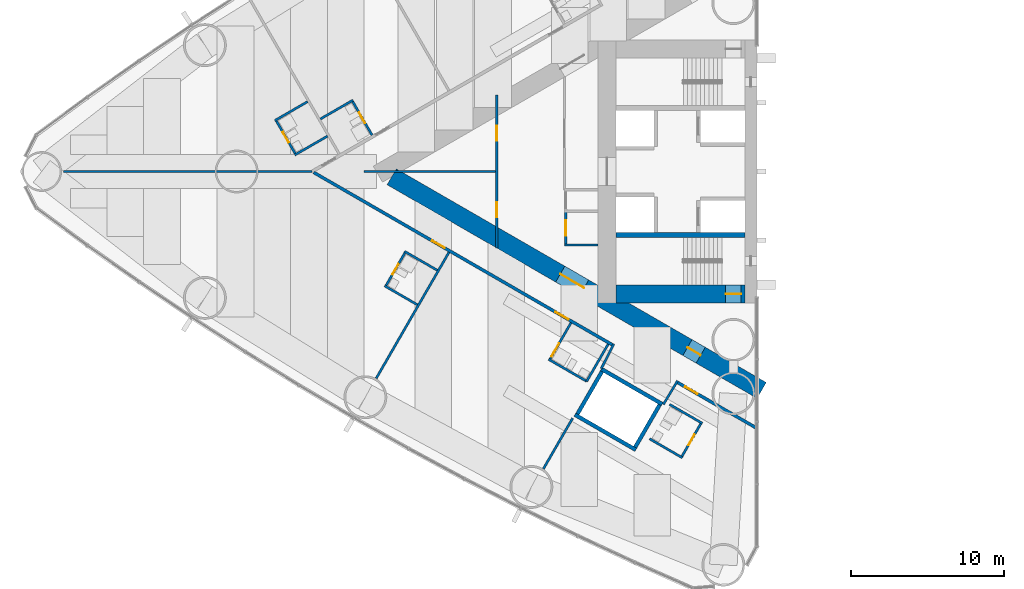
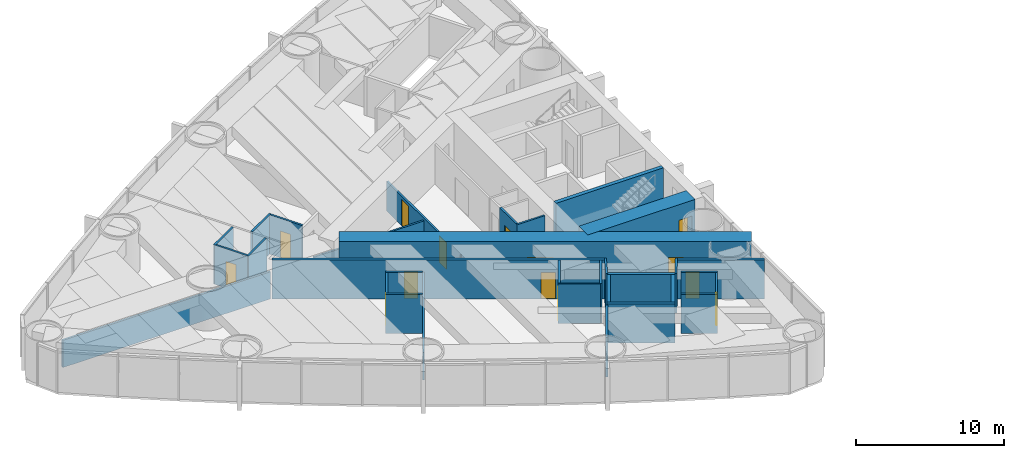
# One storey, part 11 of 19: 32 walls, 14 doors, 14 openings.
"""IFC4 building model written with IfcOpenShell, lengths in metres."""

from ifc_helpers import new_model, si_unit, direction, frame, frame_2d, origin, place, context, subcontext, project, spatial, rectangle, extrude, material, layer, layer_set, type_object, element, fill, save


model = new_model("IFC4")

# Units and contexts
model_context = context("Model", 3, precision=1e-05, world=origin(), true_north=direction((0.0, 1.0)))
body_context = subcontext(model_context, "Body", "Model", "MODEL_VIEW")
ifc_project = project(units=[si_unit("LENGTHUNIT", "METRE"), si_unit("AREAUNIT", "SQUARE_METRE"), si_unit("VOLUMEUNIT", "CUBIC_METRE"), si_unit("PLANEANGLEUNIT", "RADIAN"), si_unit("MASSUNIT", "GRAM", prefix="KILO")], contexts=[model_context])

# Site, building, storey
site_placement = place(None, origin())
site = spatial("IfcSite", under=ifc_project, at=site_placement, CompositionType="ELEMENT")
building_placement = place(site_placement, origin())
building = spatial("IfcBuilding", under=site, at=building_placement, Name="Lancet Gate Hotel", CompositionType="ELEMENT")
storey_placement = place(building_placement, frame((0.0, 0.0, 35.5)))
storey = spatial("IfcBuildingStorey", under=building, at=storey_placement, Name="L08", CompositionType="ELEMENT", Elevation=35.5)

# Wall
ifc_material_1 = material(Name="Moisture resistant board partition")
ifc_layer_1 = layer(ifc_material_1, 0.14990234375)
ifc_layer_set_1 = layer_set([ifc_layer_1], Name="Bathroom wall 150")
wall_type_1 = type_object("IfcWallType", Name="Bathroom wall 150", PredefinedType="PARTITIONING", material=ifc_layer_set_1)
wall_1_placement = place(storey_placement, frame((-53.8876953125, 4.665283203125, 0.0), z_axis=(0.0, 0.0, 1.0), x_axis=(-0.866006523861, -0.500032699561, 0.0)))
element("IfcWall", 1, at=wall_1_placement, inside=storey, type_object=wall_type_1, Name="T1 bathroom wall 150 L08", PredefinedType="PARTITIONING", context=body_context, shape_type="SweptSolid", body=[
    extrude(rectangle(XDim=2.474853515625, YDim=0.14990234375, at=frame_2d((1.2373046875, 0.0))), origin(), (0.0, 0.0, 1.0), 3.25),
])

# Wall, opening, door
wall_2_placement = place(storey_placement, frame((-52.652587890625, 2.376220703125, 0.0), z_axis=(0.0, 0.0, 1.0), x_axis=(-0.500006934395, 0.866021400173, 0.0)))
wall_2 = element("IfcWall", 2, at=wall_2_placement, inside=storey, type_object=wall_type_1, Name="T1 bathroom wall 150 L08", PredefinedType="PARTITIONING", context=body_context, shape_type="SweptSolid", body=[
    extrude(rectangle(XDim=2.60009765625, YDim=0.14990234375, at=frame_2d((1.300048828125, 0.0))), origin(), (0.0, 0.0, 1.0), 3.25),
])
opening_1_placement = place(wall_2_placement, frame((0.89990234375, 0.0, 0.0)))
opening_1 = element("IfcOpeningElement", 3, at=opening_1_placement, cuts=wall_2, Name="Opening 0803-B", PredefinedType="OPENING", context=body_context, shape_type="SweptSolid", body=[
    extrude(rectangle(XDim=0.800048828125, YDim=2.199951171875, at=frame_2d((0.39990234375, 1.10009765625))), frame((0.0, 0.0849609375, 0.0), z_axis=(0.0, -1.0, 0.0), x_axis=(1.0, 0.0, 0.0)), (0.0, 0.0, 1.0), 0.169921875),
])
ifc_material_2 = material(Name="Timber door set", Category="wood")
door_type_1 = type_object("IfcDoorType", Name="Bathroom door 800", OperationType="SINGLE_SWING_RIGHT", PredefinedType="DOOR", material=ifc_material_2)
door_1_placement = place(opening_1_placement, origin())
door_1 = element("IfcDoor", 4, at=door_1_placement, inside=storey, type_object=door_type_1, Name="0803-B", OperationType="SINGLE_SWING_RIGHT", OverallHeight=2.199951171875, OverallWidth=0.800048828125, PredefinedType="DOOR", context=body_context, shape_type="SweptSolid", body=[
    extrude(rectangle(XDim=0.800048828125, YDim=2.199951171875, at=frame_2d((0.39990234375, 1.10009765625))), frame((0.0, 0.02490234375, 0.0), z_axis=(0.0, -1.0, 0.0), x_axis=(1.0, 0.0, 0.0)), (0.0, 0.0, 1.0), 0.050048828125),
])
fill(opening_1, door_1)

# Wall
wall_3_placement = place(storey_placement, frame((-56.861083984375, 4.565185546875, 0.0), z_axis=(0.0, 0.0, 1.0), x_axis=(-0.86604923931, -0.499958713387, 0.0)))
element("IfcWall", 5, at=wall_3_placement, inside=storey, type_object=wall_type_1, Name="T1 bathroom wall 150 L08", PredefinedType="PARTITIONING", context=body_context, shape_type="SweptSolid", body=[
    extrude(rectangle(XDim=2.474853515625, YDim=0.14990234375, at=frame_2d((1.2373046875, 0.0))), origin(), (0.0, 0.0, 1.0), 3.25),
])

# Wall, opening, door
wall_4_placement = place(storey_placement, frame((-57.639404296875, 1.113525390625, 0.0), z_axis=(0.0, 0.0, 1.0), x_axis=(-0.500006934395, 0.866021400173, 0.0)))
wall_4 = element("IfcWall", 6, at=wall_4_placement, inside=storey, type_object=wall_type_1, Name="T1 bathroom wall 150 L08", PredefinedType="PARTITIONING", context=body_context, shape_type="SweptSolid", body=[
    extrude(rectangle(XDim=2.60009765625, YDim=0.14990234375, at=frame_2d((1.300048828125, 0.0))), origin(), (0.0, 0.0, 1.0), 3.25),
])
opening_2_placement = place(wall_4_placement, frame((0.89990234375, 0.0, 0.0)))
opening_2 = element("IfcOpeningElement", 7, at=opening_2_placement, cuts=wall_4, Name="Opening 0804-B", PredefinedType="OPENING", context=body_context, shape_type="SweptSolid", body=[
    extrude(rectangle(XDim=0.800048828125, YDim=2.199951171875, at=frame_2d((0.39990234375, 1.10009765625))), frame((0.0, 0.0849609375, 0.0), z_axis=(0.0, -1.0, 0.0), x_axis=(1.0, 0.0, 0.0)), (0.0, 0.0, 1.0), 0.169921875),
])
door_2_placement = place(opening_2_placement, origin())
door_2 = element("IfcDoor", 8, at=door_2_placement, inside=storey, type_object=door_type_1, Name="0804-B", OperationType="SINGLE_SWING_RIGHT", OverallHeight=2.199951171875, OverallWidth=0.800048828125, PredefinedType="DOOR", context=body_context, shape_type="SweptSolid", body=[
    extrude(rectangle(XDim=0.800048828125, YDim=2.199951171875, at=frame_2d((0.39990234375, 1.10009765625))), frame((0.0, 0.02490234375, 0.0), z_axis=(0.0, -1.0, 0.0), x_axis=(1.0, 0.0, 0.0)), (0.0, 0.0, 1.0), 0.050048828125),
])
fill(opening_2, door_2)

# Walls
wall_5_placement = place(storey_placement, frame((-55.56103515625, 2.3134765625, 0.0), z_axis=(0.0, 0.0, 1.0), x_axis=(-0.86604923931, -0.499958713387, 0.0)))
element("IfcWall", 9, at=wall_5_placement, inside=storey, type_object=wall_type_1, Name="T1 bathroom wall 150 L08", PredefinedType="PARTITIONING", context=body_context, shape_type="SweptSolid", body=[
    extrude(rectangle(XDim=2.474853515625, YDim=0.14990234375, at=frame_2d((1.2373046875, 0.0))), origin(), (0.0, 0.0, 1.0), 3.25),
])
wall_6_placement = place(storey_placement, frame((-49.691650390625, -8.704345703125, 0.0), z_axis=(0.0, 0.0, 1.0), x_axis=(-0.866073894602, 0.499916002032, 0.0)))
element("IfcWall", 10, at=wall_6_placement, inside=storey, type_object=wall_type_1, Name="T1 bathroom wall 150 L08", PredefinedType="PARTITIONING", context=body_context, shape_type="SweptSolid", body=[
    extrude(rectangle(XDim=2.47509765625, YDim=0.14990234375, at=frame_2d((1.237548828125, 0.0))), origin(), (0.0, 0.0, 1.0), 3.25),
])

# Wall, opening, door
wall_7_placement = place(storey_placement, frame((-50.47021484375, -5.252685546875, 0.0), z_axis=(0.0, 0.0, 1.0), x_axis=(-0.500006934395, -0.866021400173, 0.0)))
wall_7 = element("IfcWall", 11, at=wall_7_placement, inside=storey, type_object=wall_type_1, Name="T1 bathroom wall 150 L08", PredefinedType="PARTITIONING", context=body_context, shape_type="SweptSolid", body=[
    extrude(rectangle(XDim=2.60009765625, YDim=0.14990234375, at=frame_2d((1.300048828125, 0.0))), origin(), (0.0, 0.0, 1.0), 3.25),
])
opening_3_placement = place(wall_7_placement, frame((0.89990234375, 0.0, 0.0)))
opening_3 = element("IfcOpeningElement", 12, at=opening_3_placement, cuts=wall_7, Name="Opening 0805-B", PredefinedType="OPENING", context=body_context, shape_type="SweptSolid", body=[
    extrude(rectangle(XDim=0.800048828125, YDim=2.199951171875, at=frame_2d((0.39990234375, 1.10009765625))), frame((0.0, 0.0849609375, 0.0), z_axis=(0.0, -1.0, 0.0), x_axis=(1.0, 0.0, 0.0)), (0.0, 0.0, 1.0), 0.169921875),
])
door_3_placement = place(opening_3_placement, origin())
door_3 = element("IfcDoor", 13, at=door_3_placement, inside=storey, type_object=door_type_1, Name="0805-B", OperationType="SINGLE_SWING_RIGHT", OverallHeight=2.199951171875, OverallWidth=0.800048828125, PredefinedType="DOOR", context=body_context, shape_type="SweptSolid", body=[
    extrude(rectangle(XDim=0.800048828125, YDim=2.199951171875, at=frame_2d((0.39990234375, 1.10009765625))), frame((0.0, 0.02490234375, 0.0), z_axis=(0.0, -1.0, 0.0), x_axis=(1.0, 0.0, 0.0)), (0.0, 0.0, 1.0), 0.050048828125),
])
fill(opening_3, door_3)

# Walls
wall_8_placement = place(storey_placement, frame((-48.391845703125, -6.45263671875, 0.0), z_axis=(0.0, 0.0, 1.0), x_axis=(-0.86604923931, 0.499958713387, 0.0)))
element("IfcWall", 14, at=wall_8_placement, inside=storey, type_object=wall_type_1, Name="T1 bathroom wall 150 L08", PredefinedType="PARTITIONING", context=body_context, shape_type="SweptSolid", body=[
    extrude(rectangle(XDim=2.474853515625, YDim=0.14990234375, at=frame_2d((1.2373046875, 0.0))), origin(), (0.0, 0.0, 1.0), 3.25),
])
wall_9_placement = place(storey_placement, frame((-38.630126953125, -13.705322265625, 0.0), z_axis=(0.0, 0.0, 1.0), x_axis=(-0.866018712932, 0.500011588718, 0.0)))
element("IfcWall", 15, at=wall_9_placement, inside=storey, type_object=wall_type_1, Name="T1 bathroom wall 150 L08", PredefinedType="PARTITIONING", context=body_context, shape_type="SweptSolid", body=[
    extrude(rectangle(XDim=2.875, YDim=0.14990234375, at=frame_2d((1.4375, 0.0))), origin(), (0.0, 0.0, 1.0), 3.25),
])

# Wall, opening, door
wall_10_placement = place(storey_placement, frame((-39.65478515625, -9.88037109375, 0.0), z_axis=(0.0, 0.0, 1.0), x_axis=(-0.500049511043, -0.865996816683, 0.0)))
wall_10 = element("IfcWall", 16, at=wall_10_placement, inside=storey, type_object=wall_type_1, Name="T1 bathroom wall 150 L08", PredefinedType="PARTITIONING", context=body_context, shape_type="SweptSolid", body=[
    extrude(rectangle(XDim=2.800048828125, YDim=0.14990234375, at=frame_2d((1.39990234375, 0.0))), origin(), (0.0, 0.0, 1.0), 3.25),
])
opening_4_placement = place(wall_10_placement, frame((1.550048828125, 0.0, 0.0)))
opening_4 = element("IfcOpeningElement", 17, at=opening_4_placement, cuts=wall_10, Name="Opening 0807-B", PredefinedType="OPENING", context=body_context, shape_type="SweptSolid", body=[
    extrude(rectangle(XDim=1.0, YDim=2.199951171875, at=frame_2d((0.5, 1.10009765625))), frame((0.0, 0.0849609375, 0.0), z_axis=(0.0, -1.0, 0.0), x_axis=(1.0, 0.0, 0.0)), (0.0, 0.0, 1.0), 0.169921875),
])
ifc_material_3 = material(Name="Timber door set", Category="wood")
door_type_2 = type_object("IfcDoorType", Name="Accessible en-suite door 1000", OperationType="SINGLE_SWING_RIGHT", PredefinedType="DOOR", material=ifc_material_3)
door_4_placement = place(opening_4_placement, origin())
door_4 = element("IfcDoor", 18, at=door_4_placement, inside=storey, type_object=door_type_2, Name="0807-B", OperationType="SINGLE_SWING_RIGHT", OverallHeight=2.199951171875, OverallWidth=1.0, PredefinedType="DOOR", context=body_context, shape_type="SweptSolid", body=[
    extrude(rectangle(XDim=1.0, YDim=2.199951171875, at=frame_2d((0.5, 1.10009765625))), frame((0.0, 0.02490234375, 0.0), z_axis=(0.0, -1.0, 0.0), x_axis=(1.0, 0.0, 0.0)), (0.0, 0.0, 1.0), 0.050048828125),
])
fill(opening_4, door_4)

# Walls
wall_11_placement = place(storey_placement, frame((-37.22998046875, -11.280517578125, 0.0), z_axis=(0.0, 0.0, 1.0), x_axis=(-0.500049511043, -0.865996816683, 0.0)))
element("IfcWall", 19, at=wall_11_placement, inside=storey, type_object=wall_type_1, Name="T1 bathroom wall 150 L08", PredefinedType="PARTITIONING", context=body_context, shape_type="SweptSolid", body=[
    extrude(rectangle(XDim=2.800048828125, YDim=0.14990234375, at=frame_2d((1.39990234375, 0.0))), origin(), (0.0, 0.0, 1.0), 3.25),
])
wall_12_placement = place(storey_placement, frame((-32.3759765625, -18.70166015625, 0.0), z_axis=(0.0, 0.0, 1.0), x_axis=(-0.866006523861, 0.500032699561, 0.0)))
element("IfcWall", 20, at=wall_12_placement, inside=storey, type_object=wall_type_1, Name="T1 bathroom wall 150 L08", PredefinedType="PARTITIONING", context=body_context, shape_type="SweptSolid", body=[
    extrude(rectangle(XDim=2.474853515625, YDim=0.14990234375, at=frame_2d((1.2373046875, 0.0))), origin(), (0.0, 0.0, 1.0), 3.25),
])

# Wall, opening, door
wall_13_placement = place(storey_placement, frame((-31.140869140625, -16.41259765625, 0.0), z_axis=(0.0, 0.0, 1.0), x_axis=(-0.500006934395, -0.866021400173, 0.0)))
wall_13 = element("IfcWall", 21, at=wall_13_placement, inside=storey, type_object=wall_type_1, Name="T1 bathroom wall 150 L08", PredefinedType="PARTITIONING", context=body_context, shape_type="SweptSolid", body=[
    extrude(rectangle(XDim=2.60009765625, YDim=0.14990234375, at=frame_2d((1.300048828125, 0.0))), origin(), (0.0, 0.0, 1.0), 3.25),
])
opening_5_placement = place(wall_13_placement, frame((0.89990234375, 0.0, 0.0)))
opening_5 = element("IfcOpeningElement", 22, at=opening_5_placement, cuts=wall_13, Name="Opening 0808-B", PredefinedType="OPENING", context=body_context, shape_type="SweptSolid", body=[
    extrude(rectangle(XDim=0.800048828125, YDim=2.199951171875, at=frame_2d((0.39990234375, 1.10009765625))), frame((0.0, 0.0849609375, 0.0), z_axis=(0.0, -1.0, 0.0), x_axis=(1.0, 0.0, 0.0)), (0.0, 0.0, 1.0), 0.169921875),
])
door_5_placement = place(opening_5_placement, origin())
door_5 = element("IfcDoor", 23, at=door_5_placement, inside=storey, type_object=door_type_1, Name="0808-B", OperationType="SINGLE_SWING_RIGHT", OverallHeight=2.199951171875, OverallWidth=0.800048828125, PredefinedType="DOOR", context=body_context, shape_type="SweptSolid", body=[
    extrude(rectangle(XDim=0.800048828125, YDim=2.199951171875, at=frame_2d((0.39990234375, 1.10009765625))), frame((0.0, 0.02490234375, 0.0), z_axis=(0.0, -1.0, 0.0), x_axis=(1.0, 0.0, 0.0)), (0.0, 0.0, 1.0), 0.050048828125),
])
fill(opening_5, door_5)

# Wall
wall_14_placement = place(storey_placement, frame((-31.075927734375, -16.449951171875, 0.0), z_axis=(0.0, 0.0, 1.0), x_axis=(-0.866073894602, 0.499916002032, 0.0)))
element("IfcWall", 24, at=wall_14_placement, inside=storey, type_object=wall_type_1, Name="T1 bathroom wall 150 L08", PredefinedType="PARTITIONING", context=body_context, shape_type="SweptSolid", body=[
    extrude(rectangle(XDim=2.47509765625, YDim=0.14990234375, at=frame_2d((1.237548828125, 0.0))), origin(), (0.0, 0.0, 1.0), 3.25),
])

# Wall, openings, doors
ifc_material_4 = material(Name="Concrete C70/85", Category="concrete")
ifc_layer_2 = layer(ifc_material_4, 1.199951171875)
ifc_layer_set_2 = layer_set([ifc_layer_2], Name="Buttress wall 1200")
wall_type_2 = type_object("IfcWallType", Name="Buttress wall 1200", PredefinedType="SHEAR", material=ifc_layer_set_2)
wall_15_placement = place(storey_placement, frame((-27.199951171875, -14.300048828125, 0.0), z_axis=(0.0, 0.0, 1.0), x_axis=(-0.866024021859, 0.500002393557, 0.0)))
wall_15 = element("IfcWall", 25, at=wall_15_placement, inside=storey, type_object=wall_type_2, Name="T1 buttress wall N L08", PredefinedType="SHEAR", context=body_context, shape_type="SweptSolid", body=[
    extrude(rectangle(XDim=27.906982421875, YDim=1.199951171875, at=frame_2d((13.95361328125, 0.0))), origin(), (0.0, 0.0, 1.0), 3.5),
])
opening_6_placement = place(wall_15_placement, frame((4.60009765625, 0.0, 0.0)))
opening_6 = element("IfcOpeningElement", 26, at=opening_6_placement, cuts=wall_15, Name="Opening T1-L08-LN", PredefinedType="OPENING", context=body_context, shape_type="SweptSolid", body=[
    extrude(rectangle(XDim=1.0, YDim=2.199951171875, at=frame_2d((0.5, 1.10009765625))), frame((0.0, 0.60986328125, 0.0), z_axis=(0.0, -1.0, 0.0), x_axis=(1.0, 0.0, 0.0)), (0.0, 0.0, 1.0), 1.219970703125),
])
opening_7_placement = place(wall_15_placement, frame((13.39453125, 0.0, 0.0)))
opening_7 = element("IfcOpeningElement", 27, at=opening_7_placement, cuts=wall_15, Name="Opening T1-L08-LHN", PredefinedType="OPENING", context=body_context, shape_type="SweptSolid", body=[
    extrude(rectangle(XDim=1.800048828125, YDim=2.199951171875, at=frame_2d((0.89990234375, 1.10009765625))), frame((0.0, 0.60986328125, 0.0), z_axis=(0.0, -1.0, 0.0), x_axis=(1.0, 0.0, 0.0)), (0.0, 0.0, 1.0), 1.219970703125),
])
ifc_material_5 = material(Name="Timber door set", Category="wood")
door_type_3 = type_object("IfcDoorType", Name="Lobby double door 1800", OperationType="DOUBLE_DOOR_SINGLE_SWING", PredefinedType="DOOR", material=ifc_material_5)
door_6_placement = place(opening_7_placement, origin())
door_6 = element("IfcDoor", 28, at=door_6_placement, inside=storey, type_object=door_type_3, Name="T1-L08-LHN", OperationType="DOUBLE_DOOR_SINGLE_SWING", OverallHeight=2.199951171875, OverallWidth=1.800048828125, PredefinedType="DOOR", context=body_context, shape_type="SweptSolid", body=[
    extrude(rectangle(XDim=1.800048828125, YDim=2.199951171875, at=frame_2d((0.89990234375, 1.10009765625))), frame((0.0, 0.02490234375, 0.0), z_axis=(0.0, -1.0, 0.0), x_axis=(1.0, 0.0, 0.0)), (0.0, 0.0, 1.0), 0.050048828125),
])
fill(opening_7, door_6)
ifc_material_6 = material(Name="Timber door set", Category="wood")
door_type_4 = type_object("IfcDoorType", Name="Stair lobby door 1000", OperationType="SINGLE_SWING_LEFT", PredefinedType="DOOR", material=ifc_material_6)
door_7_placement = place(opening_6_placement, origin())
door_7 = element("IfcDoor", 29, at=door_7_placement, inside=storey, type_object=door_type_4, Name="T1-L08-LN", OperationType="SINGLE_SWING_LEFT", OverallHeight=2.199951171875, OverallWidth=1.0, PredefinedType="DOOR", context=body_context, shape_type="SweptSolid", body=[
    extrude(rectangle(XDim=1.0, YDim=2.199951171875, at=frame_2d((0.5, 1.10009765625))), frame((0.0, 0.02490234375, 0.0), z_axis=(0.0, -1.0, 0.0), x_axis=(1.0, 0.0, 0.0)), (0.0, 0.0, 1.0), 0.050048828125),
])
fill(opening_6, door_7)

# Wall, opening, door
ifc_material_7 = material(Name="Concrete C70/85", Category="concrete")
ifc_layer_3 = layer(ifc_material_7, 1.199951171875)
ifc_layer_set_3 = layer_set([ifc_layer_3], Name="Core wall 1200")
wall_type_3 = type_object("IfcWallType", Name="Core wall 1200", PredefinedType="SHEAR", material=ifc_layer_set_3)
wall_16_placement = place(storey_placement, frame((-28.300048828125, -8.0, 0.0), z_axis=(0.0, 0.0, 1.0), x_axis=(-1.0, 0.0, 0.0)))
wall_16 = element("IfcWall", 30, at=wall_16_placement, inside=storey, type_object=wall_type_3, Name="T1 core wall side-N L08", PredefinedType="SHEAR", context=body_context, shape_type="SweptSolid", body=[
    extrude(rectangle(XDim=8.39990234375, YDim=1.199951171875, at=frame_2d((4.199951171875, 0.0))), origin(), (0.0, 0.0, 1.0), 3.5),
])
opening_8_placement = place(wall_16_placement, frame((0.25, 0.0, 0.0)))
opening_8 = element("IfcOpeningElement", 31, at=opening_8_placement, cuts=wall_16, Name="Opening T1-L08-ST2", PredefinedType="OPENING", context=body_context, shape_type="SweptSolid", body=[
    extrude(rectangle(XDim=1.0, YDim=2.199951171875, at=frame_2d((0.5, 1.10009765625))), frame((0.0, 0.60986328125, 0.0), z_axis=(0.0, -1.0, 0.0), x_axis=(1.0, 0.0, 0.0)), (0.0, 0.0, 1.0), 1.219970703125),
])
ifc_material_8 = material(Name="Timber door set", Category="wood")
door_type_5 = type_object("IfcDoorType", Name="Stair door 1000", OperationType="SINGLE_SWING_RIGHT", PredefinedType="DOOR", material=ifc_material_8)
door_8_placement = place(opening_8_placement, origin())
door_8 = element("IfcDoor", 32, at=door_8_placement, inside=storey, type_object=door_type_5, Name="T1-L08-ST2", OperationType="SINGLE_SWING_RIGHT", OverallHeight=2.199951171875, OverallWidth=1.0, PredefinedType="DOOR", context=body_context, shape_type="SweptSolid", body=[
    extrude(rectangle(XDim=1.0, YDim=2.199951171875, at=frame_2d((0.5, 1.10009765625))), frame((0.0, 0.02490234375, 0.0), z_axis=(0.0, -1.0, 0.0), x_axis=(1.0, 0.0, 0.0)), (0.0, 0.0, 1.0), 0.050048828125),
])
fill(opening_8, door_8)

ifc_material_9 = material(Name="Gypsum board partition")
ifc_layer_4 = layer(ifc_material_9, 0.199951171875)
ifc_layer_set_4 = layer_set([ifc_layer_4], Name="Corridor wall 200")
wall_type_4 = type_object("IfcWallType", Name="Corridor wall 200", PredefinedType="PARTITIONING", material=ifc_layer_set_4)
wall_17_placement = place(storey_placement, frame((-27.572021484375, -16.740966796875, 0.0), z_axis=(0.0, 0.0, 1.0), x_axis=(-0.866024464444, 0.500001626982, 0.0)))
wall_17 = element("IfcWall", 33, at=wall_17_placement, inside=storey, type_object=wall_type_4, Name="T1 corridor wall 200 L08", PredefinedType="PARTITIONING", context=body_context, shape_type="SweptSolid", body=[
    extrude(rectangle(XDim=5.955078125, YDim=0.199951171875, at=frame_2d((2.9775390625, 0.0))), origin(), (0.0, 0.0, 1.0), 3.25),
])
opening_9_placement = place(wall_17_placement, frame((4.405029296875, 0.0, 0.0)))
opening_9 = element("IfcOpeningElement", 34, at=opening_9_placement, cuts=wall_17, Name="Opening 0808-E", PredefinedType="OPENING", context=body_context, shape_type="SweptSolid", body=[
    extrude(rectangle(XDim=0.949951171875, YDim=2.199951171875, at=frame_2d((0.47509765625, 1.10009765625))), frame((0.0, 0.10986328125, 0.0), z_axis=(0.0, -1.0, 0.0), x_axis=(1.0, 0.0, 0.0)), (0.0, 0.0, 1.0), 0.219970703125),
])
ifc_material_10 = material(Name="Timber door set", Category="wood")
door_type_6 = type_object("IfcDoorType", Name="Guest room entry door 950", OperationType="SINGLE_SWING_LEFT", PredefinedType="DOOR", material=ifc_material_10)
door_9_placement = place(opening_9_placement, origin())
door_9 = element("IfcDoor", 35, at=door_9_placement, inside=storey, type_object=door_type_6, Name="0808-E", OperationType="SINGLE_SWING_LEFT", OverallHeight=2.199951171875, OverallWidth=0.949951171875, PredefinedType="DOOR", context=body_context, shape_type="SweptSolid", body=[
    extrude(rectangle(XDim=0.949951171875, YDim=2.199951171875, at=frame_2d((0.47509765625, 1.10009765625))), frame((0.0, 0.02490234375, 0.0), z_axis=(0.0, -1.0, 0.0), x_axis=(1.0, 0.0, 0.0)), (0.0, 0.0, 1.0), 0.050048828125),
])
fill(opening_9, door_9)

# Wall, openings, doors
wall_18_placement = place(storey_placement, frame((-36.920166015625, -11.34375, 0.0), z_axis=(0.0, 0.0, 1.0), x_axis=(-0.866028313256, 0.499994960614, 0.0)))
wall_18 = element("IfcWall", 36, at=wall_18_placement, inside=storey, type_object=wall_type_4, Name="T1 corridor wall 200 L08", PredefinedType="PARTITIONING", context=body_context, shape_type="SweptSolid", body=[
    extrude(rectangle(XDim=22.567626953125, YDim=0.199951171875, at=frame_2d((11.28369140625, 0.0))), origin(), (0.0, 0.0, 1.0), 3.25),
])
opening_10_placement = place(wall_18_placement, frame((12.68017578125, 0.0, 0.0)))
opening_10 = element("IfcOpeningElement", 37, at=opening_10_placement, cuts=wall_18, Name="Opening 0805-E", PredefinedType="OPENING", context=body_context, shape_type="SweptSolid", body=[
    extrude(rectangle(XDim=0.949951171875, YDim=2.199951171875, at=frame_2d((0.47509765625, 1.10009765625))), frame((0.0, 0.10986328125, 0.0), z_axis=(0.0, -1.0, 0.0), x_axis=(1.0, 0.0, 0.0)), (0.0, 0.0, 1.0), 0.219970703125),
])
opening_11_placement = place(wall_18_placement, frame((3.35009765625, 0.0, 0.0)))
opening_11 = element("IfcOpeningElement", 38, at=opening_11_placement, cuts=wall_18, Name="Opening 0807-E", PredefinedType="OPENING", context=body_context, shape_type="SweptSolid", body=[
    extrude(rectangle(XDim=1.0, YDim=2.199951171875, at=frame_2d((0.5, 1.10009765625))), frame((0.0, 0.10986328125, 0.0), z_axis=(0.0, -1.0, 0.0), x_axis=(1.0, 0.0, 0.0)), (0.0, 0.0, 1.0), 0.219970703125),
])
ifc_material_11 = material(Name="Timber door set", Category="wood")
door_type_7 = type_object("IfcDoorType", Name="Accessible guest room door 1000", OperationType="SINGLE_SWING_LEFT", PredefinedType="DOOR", material=ifc_material_11)
door_10_placement = place(opening_11_placement, origin())
door_10 = element("IfcDoor", 39, at=door_10_placement, inside=storey, type_object=door_type_7, Name="0807-E", OperationType="SINGLE_SWING_LEFT", OverallHeight=2.199951171875, OverallWidth=1.0, PredefinedType="DOOR", context=body_context, shape_type="SweptSolid", body=[
    extrude(rectangle(XDim=1.0, YDim=2.199951171875, at=frame_2d((0.5, 1.10009765625))), frame((0.0, 0.02490234375, 0.0), z_axis=(0.0, -1.0, 0.0), x_axis=(1.0, 0.0, 0.0)), (0.0, 0.0, 1.0), 0.050048828125),
])
fill(opening_11, door_10)
door_11_placement = place(opening_10_placement, origin())
door_11 = element("IfcDoor", 40, at=door_11_placement, inside=storey, type_object=door_type_6, Name="0805-E", OperationType="SINGLE_SWING_LEFT", OverallHeight=2.199951171875, OverallWidth=0.949951171875, PredefinedType="DOOR", context=body_context, shape_type="SweptSolid", body=[
    extrude(rectangle(XDim=0.949951171875, YDim=2.199951171875, at=frame_2d((0.47509765625, 1.10009765625))), frame((0.0, 0.02490234375, 0.0), z_axis=(0.0, -1.0, 0.0), x_axis=(1.0, 0.0, 0.0)), (0.0, 0.0, 1.0), 0.050048828125),
])
fill(opening_10, door_11)

# Walls
ifc_material_12 = material(Name="Gypsum board partition")
ifc_layer_5 = layer(ifc_material_12, 0.25)
ifc_layer_set_5 = layer_set([ifc_layer_5], Name="Lift shaft partition 250")
wall_type_5 = type_object("IfcWallType", Name="Lift shaft partition 250", PredefinedType="PARTITIONING", material=ifc_layer_set_5)
wall_19_placement = place(storey_placement, frame((-33.695556640625, -15.197265625, 0.0), z_axis=(0.0, 0.0, 1.0), x_axis=(-0.865976953817, 0.500083908417, 0.0)))
element("IfcWall", 41, at=wall_19_placement, inside=storey, type_object=wall_type_5, Name="T1 lift shaft wall EX L08", PredefinedType="PARTITIONING", context=body_context, shape_type="SweptSolid", body=[
    extrude(rectangle(XDim=4.599365234375, YDim=0.25, at=frame_2d((2.2998046875, 0.0))), origin(), (0.0, 0.0, 1.0), 3.25),
])
wall_20_placement = place(storey_placement, frame((-35.42041015625, -18.185791015625, 0.0), z_axis=(0.0, 0.0, 1.0), x_axis=(-0.865990227814, 0.50006092162, 0.0)))
element("IfcWall", 42, at=wall_20_placement, inside=storey, type_object=wall_type_5, Name="T1 lift shaft wall EX L08", PredefinedType="PARTITIONING", context=body_context, shape_type="SweptSolid", body=[
    extrude(rectangle(XDim=4.599609375, YDim=0.25, at=frame_2d((2.2998046875, 0.0))), origin(), (0.0, 0.0, 1.0), 3.25),
])
wall_21_placement = place(storey_placement, frame((-33.8662109375, -15.242919921875, 0.0), z_axis=(0.0, 0.0, 1.0), x_axis=(-0.499929347863, -0.866066190972, 0.0)))
element("IfcWall", 43, at=wall_21_placement, inside=storey, type_object=wall_type_5, Name="T1 lift shaft wall EX L08", PredefinedType="PARTITIONING", context=body_context, shape_type="SweptSolid", body=[
    extrude(rectangle(XDim=3.20068359375, YDim=0.25, at=frame_2d((1.600341796875, 0.0))), origin(), (0.0, 0.0, 1.0), 3.25),
])
wall_22_placement = place(storey_placement, frame((-37.6328125, -13.068115234375, 0.0), z_axis=(0.0, 0.0, 1.0), x_axis=(-0.499872130319, -0.866099216793, 0.0)))
element("IfcWall", 44, at=wall_22_placement, inside=storey, type_object=wall_type_5, Name="T1 lift shaft wall EX L08", PredefinedType="PARTITIONING", context=body_context, shape_type="SweptSolid", body=[
    extrude(rectangle(XDim=3.200439453125, YDim=0.25, at=frame_2d((1.60009765625, 0.0))), origin(), (0.0, 0.0, 1.0), 3.25),
])
ifc_material_13 = material(Name="Gypsum board partition")
ifc_layer_6 = layer(ifc_material_13, 0.14990234375)
ifc_layer_set_6 = layer_set([ifc_layer_6], Name="Party wall 150")
wall_type_6 = type_object("IfcWallType", Name="Party wall 150", PredefinedType="PARTITIONING", material=ifc_layer_set_6)
wall_23_placement = place(storey_placement, frame((-47.626708984375, -5.27783203125, 0.0), z_axis=(0.0, 0.0, 1.0), x_axis=(-0.500009844318, -0.86601972009, 0.0)))
element("IfcWall", 45, at=wall_23_placement, inside=storey, type_object=wall_type_6, Name="T1 party wall 150 L08", PredefinedType="PARTITIONING", context=body_context, shape_type="SweptSolid", body=[
    extrude(rectangle(XDim=9.510498046875, YDim=0.14990234375, at=frame_2d((4.75537109375, 0.0))), origin(), (0.0, 0.0, 1.0), 2.25),
])
wall_24_placement = place(storey_placement, frame((-56.568359375, 0.0, 0.0), z_axis=(0.0, 0.0, 1.0), x_axis=(-1.0, 0.0, 0.0)))
element("IfcWall", 46, at=wall_24_placement, inside=storey, type_object=wall_type_6, Name="T1 party wall 150 L08", PredefinedType="PARTITIONING", context=body_context, shape_type="SweptSolid", body=[
    extrude(rectangle(XDim=16.246826171875, YDim=0.14990234375, at=frame_2d((8.12353515625, 0.0))), origin(), (0.0, 0.0, 1.0), 2.25),
])
wall_25_placement = place(storey_placement, frame((-39.55078125, -16.118408203125, 0.0), z_axis=(0.0, 0.0, 1.0), x_axis=(-0.499986503906, -0.866033195618, 0.0)))
element("IfcWall", 47, at=wall_25_placement, inside=storey, type_object=wall_type_6, Name="T1 party wall 150 L08", PredefinedType="PARTITIONING", context=body_context, shape_type="SweptSolid", body=[
    extrude(rectangle(XDim=3.81494140625, YDim=0.14990234375, at=frame_2d((1.907470703125, 0.0))), origin(), (0.0, 0.0, 1.0), 3.25),
])
ifc_material_14 = material(Name="Gypsum board partition")
ifc_layer_7 = layer(ifc_material_14, 0.14990234375)
ifc_layer_set_7 = layer_set([ifc_layer_7], Name="Service room wall 150")
wall_type_7 = type_object("IfcWallType", Name="Service room wall 150", PredefinedType="PARTITIONING", material=ifc_layer_set_7)
wall_26_placement = place(storey_placement, frame((-36.857177734375, -11.2646484375, 0.0), z_axis=(0.0, 0.0, 1.0), x_axis=(-0.454225294761, -0.890886851176, 0.0)))
element("IfcWall", 48, at=wall_26_placement, inside=storey, type_object=wall_type_7, Name="T1 service room wall 150 L08", PredefinedType="PARTITIONING", context=body_context, shape_type="SweptSolid", body=[
    extrude(rectangle(XDim=1.80712890625, YDim=0.14990234375, at=frame_2d((0.903564453125, 0.0))), origin(), (0.0, 0.0, 1.0), 3.25),
])
wall_27_placement = place(storey_placement, frame((-33.62060546875, -15.217529296875, 0.0), z_axis=(0.0, 0.0, 1.0), x_axis=(0.514336634837, 0.857588377991, 0.0)))
element("IfcWall", 49, at=wall_27_placement, inside=storey, type_object=wall_type_7, Name="T1 service room wall 150 L08", PredefinedType="PARTITIONING", context=body_context, shape_type="SweptSolid", body=[
    extrude(rectangle(XDim=1.80517578125, YDim=0.14990234375, at=frame_2d((0.902587890625, 0.0))), origin(), (0.0, 0.0, 1.0), 3.25),
])
wall_28_placement = place(storey_placement, frame((-37.89990234375, -4.800048828125, 0.0), z_axis=(0.0, 0.0, 1.0), x_axis=(-1.0, 0.0, 0.0)))
element("IfcWall", 50, at=wall_28_placement, inside=storey, type_object=wall_type_7, Name="T1 service room wall 150 L08", PredefinedType="PARTITIONING", context=body_context, shape_type="SweptSolid", body=[
    extrude(rectangle(XDim=2.175048828125, YDim=0.14990234375, at=frame_2d((1.08740234375, 0.0))), origin(), (0.0, 0.0, 1.0), 3.25),
])

# Wall, opening, door
wall_29_placement = place(storey_placement, frame((-40.0, -2.52490234375, 0.0), z_axis=(0.0, 0.0, 1.0), x_axis=(0.0, -1.0, 0.0)))
wall_29 = element("IfcWall", 51, at=wall_29_placement, inside=storey, type_object=wall_type_7, Name="T1 service room wall 150 L08", PredefinedType="PARTITIONING", context=body_context, shape_type="SweptSolid", body=[
    extrude(rectangle(XDim=2.35009765625, YDim=0.14990234375, at=frame_2d((1.175048828125, 0.0))), origin(), (0.0, 0.0, 1.0), 3.25),
])
opening_12_placement = place(wall_29_placement, frame((0.675048828125, 0.0, 0.0)))
opening_12 = element("IfcOpeningElement", 52, at=opening_12_placement, cuts=wall_29, Name="Opening T1-L08-HRN1", PredefinedType="OPENING", context=body_context, shape_type="SweptSolid", body=[
    extrude(rectangle(XDim=1.0, YDim=2.199951171875, at=frame_2d((0.5, 1.10009765625))), frame((0.0, 0.0849609375, 0.0), z_axis=(0.0, -1.0, 0.0), x_axis=(1.0, 0.0, 0.0)), (0.0, 0.0, 1.0), 0.169921875),
])
ifc_material_15 = material(Name="Timber door set", Category="wood")
door_type_8 = type_object("IfcDoorType", Name="Service door 1000", OperationType="SINGLE_SWING_LEFT", PredefinedType="DOOR", material=ifc_material_15)
door_12_placement = place(opening_12_placement, origin())
door_12 = element("IfcDoor", 53, at=door_12_placement, inside=storey, type_object=door_type_8, Name="T1-L08-HRN1", OperationType="SINGLE_SWING_LEFT", OverallHeight=2.199951171875, OverallWidth=1.0, PredefinedType="DOOR", context=body_context, shape_type="SweptSolid", body=[
    extrude(rectangle(XDim=1.0, YDim=2.199951171875, at=frame_2d((0.5, 1.10009765625))), frame((0.0, 0.02490234375, 0.0), z_axis=(0.0, -1.0, 0.0), x_axis=(1.0, 0.0, 0.0)), (0.0, 0.0, 1.0), 0.050048828125),
])
fill(opening_12, door_12)

# Wall, openings, doors
wall_30_placement = place(storey_placement, frame((-44.5, 5.004638671875, 0.0), z_axis=(0.0, 0.0, 1.0), x_axis=(0.0, -1.0, 0.0)))
wall_30 = element("IfcWall", 54, at=wall_30_placement, inside=storey, type_object=wall_type_7, Name="T1 service room wall 150 L08", PredefinedType="PARTITIONING", context=body_context, shape_type="SweptSolid", body=[
    extrude(rectangle(XDim=10.00927734375, YDim=0.14990234375, at=frame_2d((5.004638671875, 0.0))), origin(), (0.0, 0.0, 1.0), 2.449951171875),
])
opening_13_placement = place(wall_30_placement, frame((2.002197265625, 0.0, 0.0)))
opening_13 = element("IfcOpeningElement", 55, at=opening_13_placement, cuts=wall_30, Name="Opening T1-L08-SV", PredefinedType="OPENING", context=body_context, shape_type="SweptSolid", body=[
    extrude(rectangle(XDim=1.0, YDim=2.199951171875, at=frame_2d((0.5, 1.10009765625))), frame((0.0, 0.0849609375, 0.0), z_axis=(0.0, -1.0, 0.0), x_axis=(1.0, 0.0, 0.0)), (0.0, 0.0, 1.0), 0.169921875),
])
opening_14_placement = place(wall_30_placement, frame((7.0068359375, 0.0, 0.0)))
opening_14 = element("IfcOpeningElement", 56, at=opening_14_placement, cuts=wall_30, Name="Opening T1-L08-SV2", PredefinedType="OPENING", context=body_context, shape_type="SweptSolid", body=[
    extrude(rectangle(XDim=1.0, YDim=2.199951171875, at=frame_2d((0.5, 1.10009765625))), frame((0.0, 0.0849609375, 0.0), z_axis=(0.0, -1.0, 0.0), x_axis=(1.0, 0.0, 0.0)), (0.0, 0.0, 1.0), 0.169921875),
])
door_13_placement = place(opening_13_placement, origin())
door_13 = element("IfcDoor", 57, at=door_13_placement, inside=storey, type_object=door_type_8, Name="T1-L08-SV", OperationType="SINGLE_SWING_LEFT", OverallHeight=2.199951171875, OverallWidth=1.0, PredefinedType="DOOR", context=body_context, shape_type="SweptSolid", body=[
    extrude(rectangle(XDim=1.0, YDim=2.199951171875, at=frame_2d((0.5, 1.10009765625))), frame((0.0, 0.02490234375, 0.0), z_axis=(0.0, -1.0, 0.0), x_axis=(1.0, 0.0, 0.0)), (0.0, 0.0, 1.0), 0.050048828125),
])
fill(opening_13, door_13)
door_14_placement = place(opening_14_placement, origin())
door_14 = element("IfcDoor", 58, at=door_14_placement, inside=storey, type_object=door_type_8, Name="T1-L08-SV2", OperationType="SINGLE_SWING_LEFT", OverallHeight=2.199951171875, OverallWidth=1.0, PredefinedType="DOOR", context=body_context, shape_type="SweptSolid", body=[
    extrude(rectangle(XDim=1.0, YDim=2.199951171875, at=frame_2d((0.5, 1.10009765625))), frame((0.0, 0.02490234375, 0.0), z_axis=(0.0, -1.0, 0.0), x_axis=(1.0, 0.0, 0.0)), (0.0, 0.0, 1.0), 0.050048828125),
])
fill(opening_14, door_14)

# Walls
wall_31_placement = place(storey_placement, frame((-44.574951171875, 0.0, 0.0), z_axis=(0.0, 0.0, 1.0), x_axis=(-1.0, 0.0, 0.0)))
element("IfcWall", 59, at=wall_31_placement, inside=storey, type_object=wall_type_7, Name="T1 service room wall 150 L08", PredefinedType="PARTITIONING", context=body_context, shape_type="SweptSolid", body=[
    extrude(rectangle(XDim=8.59326171875, YDim=0.14990234375, at=frame_2d((4.296630859375, 0.0))), origin(), (0.0, 0.0, 1.0), 2.25),
])
ifc_material_16 = material(Name="Concrete C50/60", Category="concrete")
ifc_layer_8 = layer(ifc_material_16, 0.300048828125)
ifc_layer_set_8 = layer_set([ifc_layer_8], Name="Stair enclosure wall 300")
wall_type_8 = type_object("IfcWallType", Name="Stair enclosure wall 300", PredefinedType="SHEAR", material=ifc_layer_set_8)
wall_32_placement = place(storey_placement, frame((-28.300048828125, -4.14990234375, 0.0), z_axis=(0.0, 0.0, 1.0), x_axis=(-1.0, 0.0, 0.0)))
element("IfcWall", 60, at=wall_32_placement, inside=storey, type_object=wall_type_8, Name="T1 core wall stair-N L08", PredefinedType="SHEAR", context=body_context, shape_type="SweptSolid", body=[
    extrude(rectangle(XDim=8.39990234375, YDim=0.300048828125, at=frame_2d((4.199951171875, 0.0))), origin(), (0.0, 0.0, 1.0), 3.5),
])

save(model, "model.ifc")
